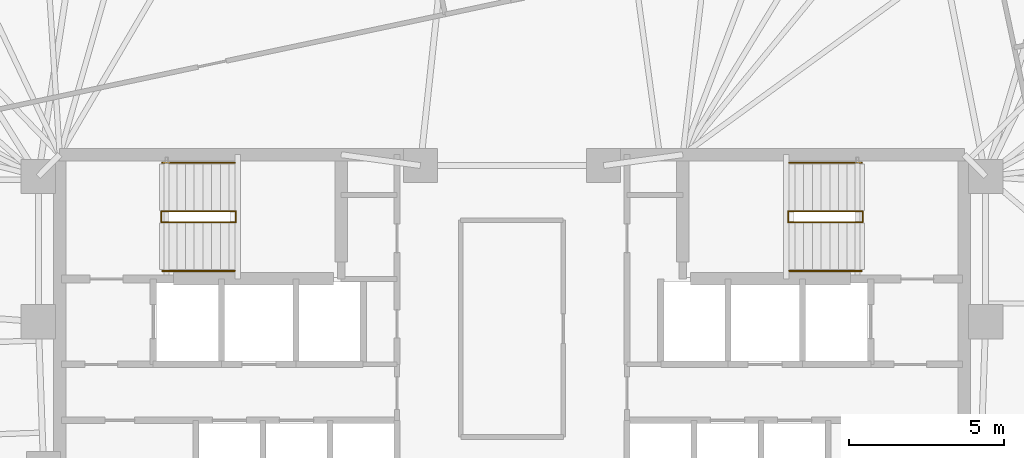
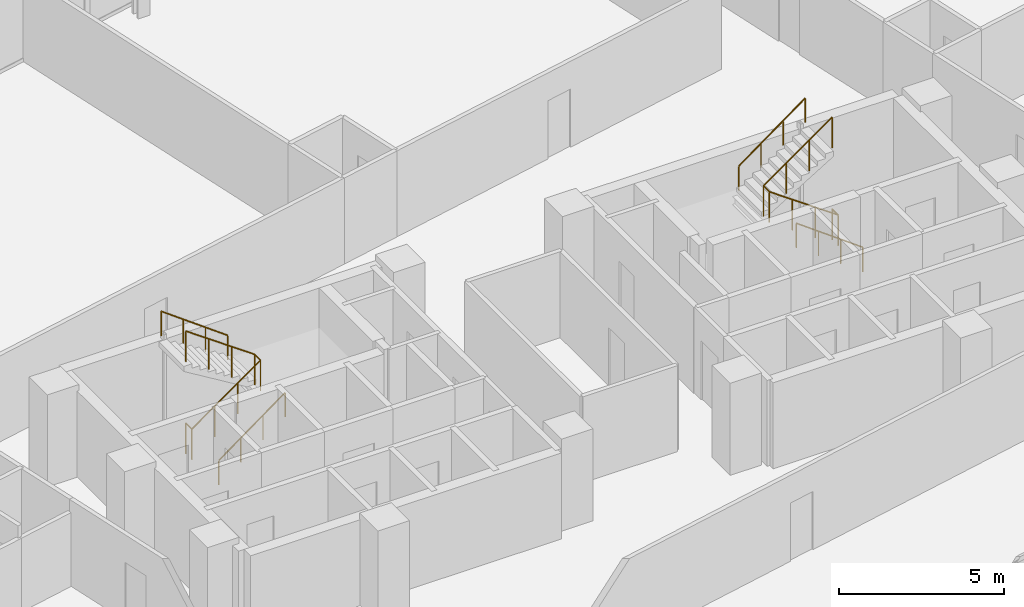
# One storey, part 19 of 19: 6 railings.
"""IFC4 building model written with IfcOpenShell, lengths in metres."""

from ifc_helpers import new_model, si_unit, direction, frame, origin, origin_2d, place, context, subcontext, project, spatial, circle, extrude, material, type_object, element, save


model = new_model("IFC4")

# Units and contexts
model_context = context("Model", 3, precision=1e-05, world=origin(), true_north=direction((0.0, 1.0)))
body_context = subcontext(model_context, "Body", "Model", "MODEL_VIEW")
ifc_project = project(units=[si_unit("LENGTHUNIT", "METRE"), si_unit("AREAUNIT", "SQUARE_METRE"), si_unit("VOLUMEUNIT", "CUBIC_METRE"), si_unit("PLANEANGLEUNIT", "RADIAN"), si_unit("MASSUNIT", "GRAM", prefix="KILO")], contexts=[model_context])

# Site, building, storey
site_placement = place(None, origin())
site = spatial("IfcSite", under=ifc_project, at=site_placement, CompositionType="ELEMENT")
building_placement = place(site_placement, origin())
building = spatial("IfcBuilding", under=site, at=building_placement, Name="Menara Jurai Vektor", CompositionType="ELEMENT")
storey_placement = place(building_placement, frame((0.0, 0.0, 171.800048828125)))
storey = spatial("IfcBuildingStorey", under=building, at=storey_placement, Name="L44", CompositionType="ELEMENT", Elevation=171.800048828125)

# Railings
ifc_material_1 = material(Name="Painted Galvanised Steel Balustrade", Category="steel")
railing_type_1 = type_object("IfcRailingType", Name="RAIL-STAIR-GUARD", PredefinedType="GUARDRAIL", material=ifc_material_1)
railing_1_placement = place(storey_placement, frame((-11.2900390625, 3.780029296875, 0.0)))
element("IfcRailing", 1, at=railing_1_placement, inside=storey, type_object=railing_type_1, Name="ST1 Stair Guardrail 1 L44", PredefinedType="GUARDRAIL", context=body_context, shape_type="SweptSolid", body=[
    extrude(circle(Radius=0.02392578125, at=origin_2d()), frame((0.0, 0.0, 1.1259765625), z_axis=(0.0, -1.0, 0.0), x_axis=(1.0, 0.0, 0.0)), (0.0, 0.0, 1.0), 0.360107421875),
    extrude(circle(Radius=0.02392578125, at=origin_2d()), frame((0.0, -0.360107421875, 1.1259765625), z_axis=(0.816048950856, 0.0, 0.577982793694), x_axis=(0.0, 1.0, 0.0)), (0.0, 0.0, 1.0), 2.941162109375),
    extrude(circle(Radius=0.02392578125, at=origin_2d()), frame((2.400146484375, -0.360107421875, 2.82568359375), z_axis=(0.0, 1.0, 0.0), x_axis=(-1.0, 0.0, 0.0)), (0.0, 0.0, 1.0), 0.360107421875),
    extrude(circle(Radius=0.02392578125, at=origin_2d()), frame((2.400146484375, 0.0, 2.82568359375), z_axis=(-0.816048950856, 0.0, 0.577982793694), x_axis=(0.0, -1.0, 0.0)), (0.0, 0.0, 1.0), 2.941162109375),
    extrude(circle(Radius=0.02099609375, at=origin_2d()), origin(), (0.0, 0.0, 1.0), 1.101806640625),
    extrude(circle(Radius=0.02099609375, at=origin_2d()), frame((0.0, -0.360107421875, 0.0)), (0.0, 0.0, 1.0), 1.101806640625),
    extrude(circle(Radius=0.02099609375, at=origin_2d()), frame((0.800048828125, -0.360107421875, 0.566650390625)), (0.0, 0.0, 1.0), 1.101806640625),
    extrude(circle(Radius=0.02099609375, at=origin_2d()), frame((1.60009765625, -0.360107421875, 1.13330078125)), (0.0, 0.0, 1.0), 1.101806640625),
    extrude(circle(Radius=0.02099609375, at=origin_2d()), frame((2.400146484375, -0.360107421875, 1.699951171875)), (0.0, 0.0, 1.0), 1.101806640625),
    extrude(circle(Radius=0.02099609375, at=origin_2d()), frame((2.400146484375, 0.0, 1.699951171875)), (0.0, 0.0, 1.0), 1.101806640625),
    extrude(circle(Radius=0.02099609375, at=origin_2d()), frame((1.60009765625, 0.0, 2.2666015625)), (0.0, 0.0, 1.0), 1.101806640625),
    extrude(circle(Radius=0.02099609375, at=origin_2d()), frame((0.800048828125, 0.0, 2.833251953125)), (0.0, 0.0, 1.0), 1.101806640625),
    extrude(circle(Radius=0.02099609375, at=origin_2d()), frame((0.0, 0.0, 3.39990234375)), (0.0, 0.0, 1.0), 1.101806640625),
])
railing_2_placement = place(storey_placement, frame((11.2900390625, 3.780029296875, 0.0)))
element("IfcRailing", 2, at=railing_2_placement, inside=storey, type_object=railing_type_1, Name="ST2 Stair Guardrail 1 L44", PredefinedType="GUARDRAIL", context=body_context, shape_type="SweptSolid", body=[
    extrude(circle(Radius=0.02392578125, at=origin_2d()), frame((0.0, 0.0, 1.1259765625), z_axis=(0.0, -1.0, 0.0), x_axis=(1.0, 0.0, 0.0)), (0.0, 0.0, 1.0), 0.360107421875),
    extrude(circle(Radius=0.02392578125, at=origin_2d()), frame((0.0, -0.360107421875, 1.1259765625), z_axis=(-0.816048950856, 0.0, 0.577982793694), x_axis=(0.0, -1.0, 0.0)), (0.0, 0.0, 1.0), 2.941162109375),
    extrude(circle(Radius=0.02392578125, at=origin_2d()), frame((-2.400146484375, -0.360107421875, 2.82568359375), z_axis=(0.0, 1.0, 0.0), x_axis=(-1.0, 0.0, 0.0)), (0.0, 0.0, 1.0), 0.360107421875),
    extrude(circle(Radius=0.02392578125, at=origin_2d()), frame((-2.400146484375, 0.0, 2.82568359375), z_axis=(0.816048950856, 0.0, 0.577982793694), x_axis=(0.0, 1.0, 0.0)), (0.0, 0.0, 1.0), 2.941162109375),
    extrude(circle(Radius=0.02099609375, at=origin_2d()), origin(), (0.0, 0.0, 1.0), 1.101806640625),
    extrude(circle(Radius=0.02099609375, at=origin_2d()), frame((0.0, -0.360107421875, 0.0)), (0.0, 0.0, 1.0), 1.101806640625),
    extrude(circle(Radius=0.02099609375, at=origin_2d()), frame((-0.800048828125, -0.360107421875, 0.566650390625)), (0.0, 0.0, 1.0), 1.101806640625),
    extrude(circle(Radius=0.02099609375, at=origin_2d()), frame((-1.60009765625, -0.360107421875, 1.13330078125)), (0.0, 0.0, 1.0), 1.101806640625),
    extrude(circle(Radius=0.02099609375, at=origin_2d()), frame((-2.400146484375, -0.360107421875, 1.699951171875)), (0.0, 0.0, 1.0), 1.101806640625),
    extrude(circle(Radius=0.02099609375, at=origin_2d()), frame((-2.400146484375, 0.0, 1.699951171875)), (0.0, 0.0, 1.0), 1.101806640625),
    extrude(circle(Radius=0.02099609375, at=origin_2d()), frame((-1.60009765625, 0.0, 2.2666015625)), (0.0, 0.0, 1.0), 1.101806640625),
    extrude(circle(Radius=0.02099609375, at=origin_2d()), frame((-0.800048828125, 0.0, 2.833251953125)), (0.0, 0.0, 1.0), 1.101806640625),
    extrude(circle(Radius=0.02099609375, at=origin_2d()), frame((0.0, 0.0, 3.39990234375)), (0.0, 0.0, 1.0), 1.101806640625),
])
ifc_material_2 = material(Name="Brushed Stainless Steel Handrail", Category="steel")
railing_type_2 = type_object("IfcRailingType", Name="RAIL-STAIR-HAND", PredefinedType="HANDRAIL", material=ifc_material_2)
railing_3_placement = place(storey_placement, frame((-11.25, 1.860107421875, 0.0)))
element("IfcRailing", 3, at=railing_3_placement, inside=storey, type_object=railing_type_2, Name="ST1 Stair Handrail 1 L44", PredefinedType="HANDRAIL", context=body_context, shape_type="SweptSolid", body=[
    extrude(circle(Radius=0.02392578125, at=origin_2d()), frame((0.0, 0.0, 0.89599609375), z_axis=(0.806642406755, 0.0, 0.591039785145), x_axis=(0.0, 1.0, 0.0)), (0.0, 0.0, 1.0), 2.876220703125),
    extrude(circle(Radius=0.02099609375, at=origin_2d()), origin(), (0.0, 0.0, 1.0), 0.871826171875),
    extrude(circle(Radius=0.02099609375, at=origin_2d()), frame((0.7734375, 0.0, 0.566650390625)), (0.0, 0.0, 1.0), 0.871826171875),
    extrude(circle(Radius=0.02099609375, at=origin_2d()), frame((1.546630859375, 0.0, 1.13330078125)), (0.0, 0.0, 1.0), 0.871826171875),
    extrude(circle(Radius=0.02099609375, at=origin_2d()), frame((2.320068359375, 0.0, 1.699951171875)), (0.0, 0.0, 1.0), 0.871826171875),
])
for number, where, name in (
    (4, (-8.929931640625, 5.340087890625, 1.699951171875), "ST1 Stair Handrail 2 L44"),
    (5, (11.25, 1.860107421875, 0.0), "ST2 Stair Handrail 1 L44"),
):
    element("IfcRailing", number, at=place(storey_placement, frame(where)), inside=storey, type_object=railing_type_2, Name=name, PredefinedType="HANDRAIL", context=body_context, shape_type="SweptSolid", body=[
        extrude(circle(Radius=0.02392578125, at=origin_2d()), frame((0.0, 0.0, 0.89599609375), z_axis=(-0.806642406755, 0.0, 0.591039785145), x_axis=(0.0, -1.0, 0.0)), (0.0, 0.0, 1.0), 2.876220703125),
        extrude(circle(Radius=0.02099609375, at=origin_2d()), origin(), (0.0, 0.0, 1.0), 0.871826171875),
        extrude(circle(Radius=0.02099609375, at=origin_2d()), frame((-0.7734375, 0.0, 0.566650390625)), (0.0, 0.0, 1.0), 0.871826171875),
        extrude(circle(Radius=0.02099609375, at=origin_2d()), frame((-1.546630859375, 0.0, 1.13330078125)), (0.0, 0.0, 1.0), 0.871826171875),
        extrude(circle(Radius=0.02099609375, at=origin_2d()), frame((-2.320068359375, 0.0, 1.699951171875)), (0.0, 0.0, 1.0), 0.871826171875),
    ])
railing_4_placement = place(storey_placement, frame((8.929931640625, 5.340087890625, 1.699951171875)))
element("IfcRailing", 6, at=railing_4_placement, inside=storey, type_object=railing_type_2, Name="ST2 Stair Handrail 2 L44", PredefinedType="HANDRAIL", context=body_context, shape_type="SweptSolid", body=[
    extrude(circle(Radius=0.02392578125, at=origin_2d()), frame((0.0, 0.0, 0.89599609375), z_axis=(0.806642406755, 0.0, 0.591039785145), x_axis=(0.0, 1.0, 0.0)), (0.0, 0.0, 1.0), 2.876220703125),
    extrude(circle(Radius=0.02099609375, at=origin_2d()), origin(), (0.0, 0.0, 1.0), 0.871826171875),
    extrude(circle(Radius=0.02099609375, at=origin_2d()), frame((0.7734375, 0.0, 0.566650390625)), (0.0, 0.0, 1.0), 0.871826171875),
    extrude(circle(Radius=0.02099609375, at=origin_2d()), frame((1.546630859375, 0.0, 1.13330078125)), (0.0, 0.0, 1.0), 0.871826171875),
    extrude(circle(Radius=0.02099609375, at=origin_2d()), frame((2.320068359375, 0.0, 1.699951171875)), (0.0, 0.0, 1.0), 0.871826171875),
])

save(model, "model.ifc")
